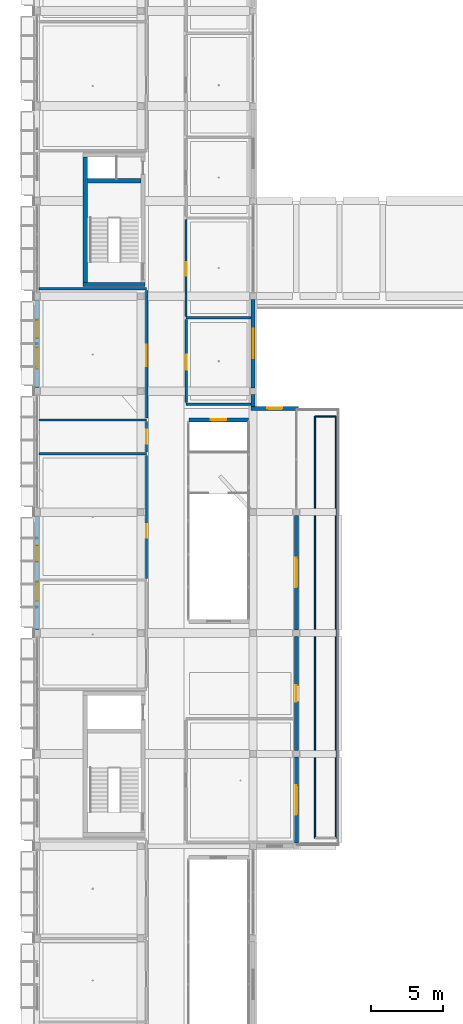
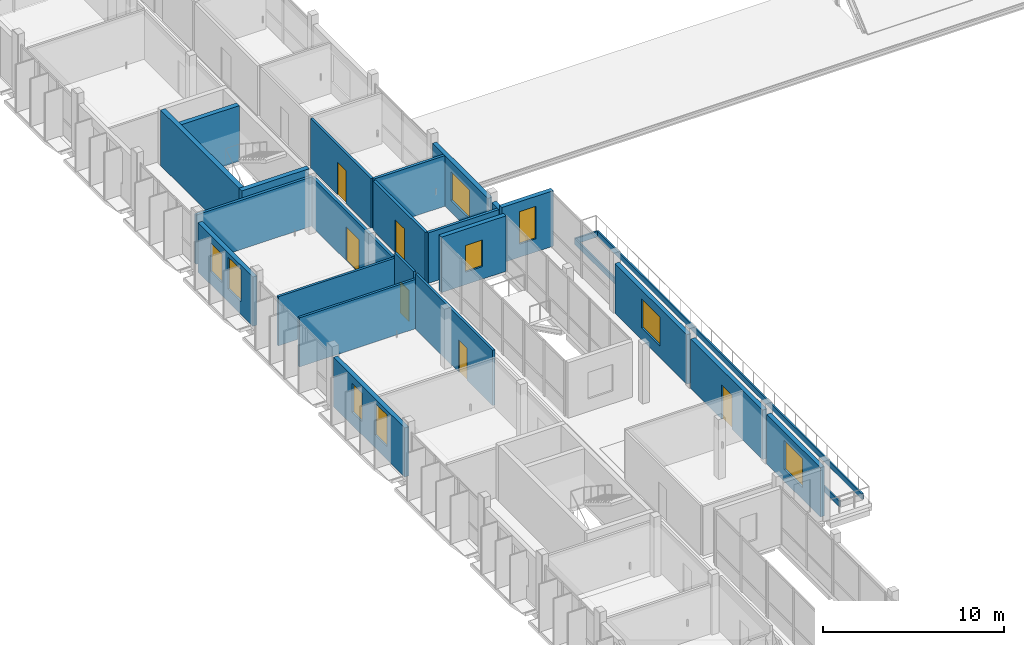
# One storey, part 57 of 86: 25 walls, 9 windows, 6 doors, 15 openings.
"""IFC4 building model written with IfcOpenShell, lengths in metres."""

from ifc_helpers import new_model, si_unit, derived_unit, direction, frame, frame_2d, origin, origin_with_axes, place, context, subcontext, project, spatial, rectangle, extrude, material, layer, layer_set, type_object, element, fill, save


model = new_model("IFC4")

# Units and contexts
model_context = context("Model", 3, precision=1e-05, world=origin(), true_north=direction((0.0, 1.0)))
body_context = subcontext(model_context, "Body", "Model", "MODEL_VIEW")
ifc_project = project(units=[si_unit("LENGTHUNIT", "METRE"), si_unit("AREAUNIT", "SQUARE_METRE"), si_unit("VOLUMEUNIT", "CUBIC_METRE"), si_unit("PLANEANGLEUNIT", "RADIAN"), si_unit("MASSUNIT", "GRAM", prefix="KILO"), derived_unit("THERMALTRANSMITTANCEUNIT", [(si_unit("POWERUNIT", "WATT"), 1), (si_unit("LENGTHUNIT", "METRE"), -2), (si_unit("THERMODYNAMICTEMPERATUREUNIT", "KELVIN"), -1)])], contexts=[model_context])

# Site, building, storey
site_placement = place(None, origin())
site = spatial("IfcSite", under=ifc_project, at=site_placement, CompositionType="ELEMENT")
building_placement = place(site_placement, origin())
building = spatial("IfcBuilding", under=site, at=building_placement, Name="Braskholm Square Health Centre", CompositionType="ELEMENT")
storey_placement = place(building_placement, frame((0.0, 0.0, 13.5)))
storey = spatial("IfcBuildingStorey", under=building, at=storey_placement, Name="L04", CompositionType="ELEMENT", Elevation=13.5)

# Wall, opening, door
ifc_material_1 = material(Name="Fire-rated gypsum board barrier")
ifc_layer_1 = layer(ifc_material_1, 0.175048828125)
ifc_layer_set_1 = layer_set([ifc_layer_1], Name="Fire-rated gypsum board barrier")
wall_type_1 = type_object("IfcWallType", Name="AmbulatoryFirePartition175", PredefinedType="PARTITIONING", material=ifc_layer_set_1)
wall_1_placement = place(storey_placement, frame((11.800048828125, 78.719970703125, 0.0), z_axis=(0.0, 0.0, 1.0), x_axis=(0.0, 1.0, 0.0)))
wall_1 = element("IfcWall", 1, at=wall_1_placement, inside=storey, type_object=wall_type_1, Name="Interior partition PWALL-L04-0176", PredefinedType="PARTITIONING", context=body_context, shape_type="SweptSolid", body=[
    extrude(rectangle(XDim=8.860107421875, YDim=0.175048828125, at=frame_2d((4.43017578125, 0.0))), origin(), (0.0, 0.0, 1.0), 3.344970703125),
])
opening_1_placement = place(wall_1_placement, frame((3.614013671875, 0.0, 0.0)))
opening_1 = element("IfcOpeningElement", 2, at=opening_1_placement, cuts=wall_1, Name="Opening D-27", PredefinedType="OPENING", context=body_context, shape_type="SweptSolid", body=[
    extrude(rectangle(XDim=1.47998046875, YDim=2.280029296875, at=frame_2d((0.739990234375, 1.14013671875))), frame((0.0, 0.09765625, 0.0), z_axis=(0.0, -1.0, 0.0), x_axis=(1.0, 0.0, 0.0)), (0.0, 0.0, 1.0), 0.195068359375),
])
ifc_material_2 = material(Name="Architectural bronze anodised aluminium", Category="aluminium")
door_type_1 = type_object("IfcDoorType", Name="DoorProcedurePair1480x2280", OperationType="DOUBLE_DOOR_SINGLE_SWING", PredefinedType="DOOR", material=ifc_material_2)
door_1_placement = place(opening_1_placement, origin_with_axes())
door_1 = element("IfcDoor", 3, at=door_1_placement, inside=storey, type_object=door_type_1, Name="Interior door 0081 L04", OperationType="DOUBLE_DOOR_SINGLE_SWING", OverallHeight=2.280029296875, OverallWidth=1.47998046875, PredefinedType="DOOR", context=body_context, shape_type="SweptSolid", body=[
    extrude(rectangle(XDim=1.47998046875, YDim=2.280029296875, at=frame_2d((0.739990234375, 1.14013671875))), frame((0.0, 0.02490234375, 0.0), z_axis=(0.0, -1.0, 0.0), x_axis=(1.0, 0.0, 0.0)), (0.0, 0.0, 1.0), 0.050048828125),
])
fill(opening_1, door_1)

# Wall
wall_2_placement = place(storey_placement, frame((4.340087890625, 87.699951171875, 0.0), z_axis=(0.0, 0.0, 1.0), x_axis=(1.0, 0.0, 0.0)))
element("IfcWall", 4, at=wall_2_placement, inside=storey, type_object=wall_type_1, Name="Interior partition PWALL-L04-0177", PredefinedType="PARTITIONING", context=body_context, shape_type="SweptSolid", body=[
    extrude(rectangle(XDim=7.4599609375, YDim=0.175048828125, at=frame_2d((3.72998046875, 0.0))), origin(), (0.0, 0.0, 1.0), 3.324951171875),
])

# Wall, opening, door
wall_3_placement = place(storey_placement, frame((14.550048828125, 79.800048828125, 0.0), z_axis=(0.0, 0.0, 1.0), x_axis=(0.0, 1.0, 0.0)))
wall_3 = element("IfcWall", 5, at=wall_3_placement, inside=storey, type_object=wall_type_1, Name="Interior partition PWALL-L04-0193", PredefinedType="PARTITIONING", context=body_context, shape_type="SweptSolid", body=[
    extrude(rectangle(XDim=5.760009765625, YDim=0.175048828125, at=frame_2d((2.8798828125, 0.0))), origin(), (0.0, 0.0, 1.0), 3.344970703125),
])
opening_2_placement = place(wall_3_placement, frame((2.27294921875, 0.0, 0.0)))
opening_2 = element("IfcOpeningElement", 6, at=opening_2_placement, cuts=wall_3, Name="Opening D-18", PredefinedType="OPENING", context=body_context, shape_type="SweptSolid", body=[
    extrude(rectangle(XDim=1.06005859375, YDim=2.199951171875, at=frame_2d((0.530029296875, 1.10009765625))), frame((0.0, 0.09765625, 0.0), z_axis=(0.0, -1.0, 0.0), x_axis=(1.0, 0.0, 0.0)), (0.0, 0.0, 1.0), 0.195068359375),
])
door_type_2 = type_object("IfcDoorType", Name="DoorFirePartitionSingle1060x2200", OperationType="NOTDEFINED", PredefinedType="DOOR", material=ifc_material_2)
door_2_placement = place(opening_2_placement, frame((1.06005859375, 0.0, 0.0), z_axis=(0.0, 0.0, 1.0), x_axis=(-1.0, 0.0, 0.0)))
door_2 = element("IfcDoor", 7, at=door_2_placement, inside=storey, type_object=door_type_2, Name="Interior door 0089 L04", OperationType="SINGLE_SWING_LEFT", OverallHeight=2.199951171875, OverallWidth=1.06005859375, PredefinedType="DOOR", context=body_context, shape_type="SweptSolid", body=[
    extrude(rectangle(XDim=1.06005859375, YDim=2.199951171875, at=frame_2d((0.530029296875, 1.10009765625))), frame((0.0, 0.02490234375, 0.0), z_axis=(0.0, -1.0, 0.0), x_axis=(1.0, 0.0, 0.0)), (0.0, 0.0, 1.0), 0.050048828125),
])
fill(opening_2, door_2)

# Walls
for number, where, z_axis, x_axis, name in (
    (8, (14.550048828125, 79.679931640625, 0.0), (0.0, 0.0, 1.0), (1.0, 0.0, 0.0), "Interior partition PWALL-L04-0194"),
    (9, (14.550048828125, 85.679931640625, 0.0), (0.0, 0.0, 1.0), (1.0, 0.0, 0.0), "Interior partition PWALL-L04-0195"),
):
    element("IfcWall", number, at=place(storey_placement, frame(where, z_axis=z_axis, x_axis=x_axis)), inside=storey, type_object=wall_type_1, Name=name, PredefinedType="PARTITIONING", context=body_context, shape_type="SweptSolid", body=[
        extrude(rectangle(XDim=4.510009765625, YDim=0.175048828125, at=frame_2d((2.2548828125, 0.0))), origin(), (0.0, 0.0, 1.0), 3.4150390625),
    ])

# Wall, opening, door
ifc_material_3 = material(Name="Acoustic gypsum board partition")
ifc_layer_2 = layer(ifc_material_3, 0.14990234375)
ifc_layer_set_2 = layer_set([ifc_layer_2], Name="Acoustic gypsum board partition")
wall_type_2 = type_object("IfcWallType", Name="CorridorAcousticPartition150", PredefinedType="PARTITIONING", material=ifc_layer_set_2)
wall_4_placement = place(storey_placement, frame((11.800048828125, 67.60009765625, 0.0), z_axis=(0.0, 0.0, 1.0), x_axis=(0.0, 1.0, 0.0)))
wall_4 = element("IfcWall", 10, at=wall_4_placement, inside=storey, type_object=wall_type_2, Name="Interior partition PWALL-L04-0172", PredefinedType="PARTITIONING", context=body_context, shape_type="SweptSolid", body=[
    extrude(rectangle(XDim=8.52978515625, YDim=0.14990234375, at=frame_2d((4.264892578125, 0.0))), origin(), (0.0, 0.0, 1.0), 3.7451171875),
])
opening_3_placement = place(wall_4_placement, frame((2.81689453125, 0.0, 0.0)))
opening_3 = element("IfcOpeningElement", 11, at=opening_3_placement, cuts=wall_4, Name="Opening D-08", PredefinedType="OPENING", context=body_context, shape_type="SweptSolid", body=[
    extrude(rectangle(XDim=0.93994140625, YDim=2.179931640625, at=frame_2d((0.469970703125, 1.08984375))), frame((0.0, 0.0849609375, 0.0), z_axis=(0.0, -1.0, 0.0), x_axis=(1.0, 0.0, 0.0)), (0.0, 0.0, 1.0), 0.169921875),
])
door_type_3 = type_object("IfcDoorType", Name="DoorCounseling940x2180", OperationType="NOTDEFINED", PredefinedType="DOOR", material=ifc_material_2)
door_3_placement = place(opening_3_placement, origin_with_axes())
door_3 = element("IfcDoor", 12, at=door_3_placement, inside=storey, type_object=door_type_3, Name="Interior door 0079 L04", OperationType="SINGLE_SWING_RIGHT", OverallHeight=2.179931640625, OverallWidth=0.93994140625, PredefinedType="DOOR", context=body_context, shape_type="SweptSolid", body=[
    extrude(rectangle(XDim=0.93994140625, YDim=2.179931640625, at=frame_2d((0.469970703125, 1.08984375))), frame((0.0, 0.02490234375, 0.0), z_axis=(0.0, -1.0, 0.0), x_axis=(1.0, 0.0, 0.0)), (0.0, 0.0, 1.0), 0.050048828125),
])
fill(opening_3, door_3)

# Wall
wall_5_placement = place(storey_placement, frame((4.340087890625, 76.25, 0.0), z_axis=(0.0, 0.0, 1.0), x_axis=(1.0, 0.0, 0.0)))
element("IfcWall", 13, at=wall_5_placement, inside=storey, type_object=wall_type_2, Name="Interior partition PWALL-L04-0173", PredefinedType="PARTITIONING", context=body_context, shape_type="SweptSolid", body=[
    extrude(rectangle(XDim=7.4599609375, YDim=0.14990234375, at=frame_2d((3.72998046875, 0.0))), origin(), (0.0, 0.0, 1.0), 3.324951171875),
])

# Wall, opening, door
wall_6_placement = place(storey_placement, frame((11.800048828125, 76.3701171875, 0.0), z_axis=(0.0, 0.0, 1.0), x_axis=(0.0, 1.0, 0.0)))
wall_6 = element("IfcWall", 14, at=wall_6_placement, inside=storey, type_object=wall_type_2, Name="Interior partition PWALL-L04-0174", PredefinedType="PARTITIONING", context=body_context, shape_type="SweptSolid", body=[
    extrude(rectangle(XDim=2.10986328125, YDim=0.14990234375, at=frame_2d((1.054931640625, 0.0))), origin(), (0.0, 0.0, 1.0), 3.7451171875),
])
opening_4_placement = place(wall_6_placement, frame((0.574951171875, 0.0, 0.0)))
opening_4 = element("IfcOpeningElement", 15, at=opening_4_placement, cuts=wall_6, Name="Opening D-05", PredefinedType="OPENING", context=body_context, shape_type="SweptSolid", body=[
    extrude(rectangle(XDim=0.9599609375, YDim=2.10009765625, at=frame_2d((0.47998046875, 1.050048828125))), frame((0.0, 0.0849609375, 0.0), z_axis=(0.0, -1.0, 0.0), x_axis=(1.0, 0.0, 0.0)), (0.0, 0.0, 1.0), 0.169921875),
])
door_type_4 = type_object("IfcDoorType", Name="DoorAccessibleWC960x2100", OperationType="NOTDEFINED", PredefinedType="DOOR", material=ifc_material_2)
door_4_placement = place(opening_4_placement, origin_with_axes())
door_4 = element("IfcDoor", 16, at=door_4_placement, inside=storey, type_object=door_type_4, Name="Interior door 0080 L04", OperationType="SINGLE_SWING_LEFT", OverallHeight=2.10009765625, OverallWidth=0.9599609375, PredefinedType="DOOR", context=body_context, shape_type="SweptSolid", body=[
    extrude(rectangle(XDim=0.9599609375, YDim=2.10009765625, at=frame_2d((0.47998046875, 1.050048828125))), frame((0.0, 0.02490234375, 0.0), z_axis=(0.0, -1.0, 0.0), x_axis=(1.0, 0.0, 0.0)), (0.0, 0.0, 1.0), 0.050048828125),
])
fill(opening_4, door_4)

# Wall
wall_7_placement = place(storey_placement, frame((4.340087890625, 78.60009765625, 0.0), z_axis=(0.0, 0.0, 1.0), x_axis=(1.0, 0.0, 0.0)))
element("IfcWall", 17, at=wall_7_placement, inside=storey, type_object=wall_type_2, Name="Interior partition PWALL-L04-0175", PredefinedType="PARTITIONING", context=body_context, shape_type="SweptSolid", body=[
    extrude(rectangle(XDim=7.4599609375, YDim=0.14990234375, at=frame_2d((3.72998046875, 0.0))), origin(), (0.0, 0.0, 1.0), 3.324951171875),
])

# Wall, opening, door
wall_8_placement = place(storey_placement, frame((14.550048828125, 85.800048828125, 0.0), z_axis=(0.0, 0.0, 1.0), x_axis=(0.0, 1.0, 0.0)))
wall_8 = element("IfcWall", 18, at=wall_8_placement, inside=storey, type_object=wall_type_2, Name="Interior partition PWALL-L04-0196", PredefinedType="PARTITIONING", context=body_context, shape_type="SweptSolid", body=[
    extrude(rectangle(XDim=6.7099609375, YDim=0.14990234375, at=frame_2d((3.35498046875, 0.0))), origin(), (0.0, 0.0, 1.0), 3.344970703125),
])
opening_5_placement = place(wall_8_placement, frame((2.81005859375, 0.0, 0.0)))
opening_5 = element("IfcOpeningElement", 19, at=opening_5_placement, cuts=wall_8, Name="Opening D-08", PredefinedType="OPENING", context=body_context, shape_type="SweptSolid", body=[
    extrude(rectangle(XDim=0.93994140625, YDim=2.179931640625, at=frame_2d((0.469970703125, 1.08984375))), frame((0.0, 0.0849609375, 0.0), z_axis=(0.0, -1.0, 0.0), x_axis=(1.0, 0.0, 0.0)), (0.0, 0.0, 1.0), 0.169921875),
])
door_5_placement = place(opening_5_placement, frame((0.93994140625, 0.0, 0.0), z_axis=(0.0, 0.0, 1.0), x_axis=(-1.0, 0.0, 0.0)))
door_5 = element("IfcDoor", 20, at=door_5_placement, inside=storey, type_object=door_type_3, Name="Interior door 0090 L04", OperationType="SINGLE_SWING_RIGHT", OverallHeight=2.179931640625, OverallWidth=0.93994140625, PredefinedType="DOOR", context=body_context, shape_type="SweptSolid", body=[
    extrude(rectangle(XDim=0.93994140625, YDim=2.179931640625, at=frame_2d((0.469970703125, 1.08984375))), frame((0.0, 0.02490234375, 0.0), z_axis=(0.0, -1.0, 0.0), x_axis=(1.0, 0.0, 0.0)), (0.0, 0.0, 1.0), 0.050048828125),
])
fill(opening_5, door_5)

# Wall, openings, windows
ifc_material_4 = material(Name="Precast concrete C40/50 architectural white", Category="concrete")
ifc_layer_3 = layer(ifc_material_4, 0.280029296875)
ifc_layer_set_3 = layer_set([ifc_layer_3], Name="Precast concrete C40/50 architectural white")
wall_type_3 = type_object("IfcWallType", Name="ExteriorPrecastSpandrelWall280", PredefinedType="SOLIDWALL", material=ifc_layer_set_3)
wall_9_placement = place(storey_placement, frame((4.199951171875, 71.93798828125, 0.0), z_axis=(0.0, 0.0, 1.0), x_axis=(0.0, -1.0, 0.0)))
wall_9 = element("IfcWall", 21, at=wall_9_placement, inside=storey, type_object=wall_type_3, Name="Exterior wall EWALL-L04-0032", PredefinedType="SOLIDWALL", context=body_context, shape_type="SweptSolid", body=[
    extrude(rectangle(XDim=7.8759765625, YDim=0.280029296875, at=frame_2d((3.93798828125, 0.0))), origin(), (0.0, 0.0, 1.0), 3.330078125),
])
opening_6_placement = place(wall_9_placement, frame((2.06494140625, 0.0, 0.8798828125)))
opening_6 = element("IfcOpeningElement", 22, at=opening_6_placement, cuts=wall_9, Name="Opening WN-34", PredefinedType="OPENING", context=body_context, shape_type="SweptSolid", body=[
    extrude(rectangle(XDim=1.1201171875, YDim=1.949951171875, at=frame_2d((0.56005859375, 0.97509765625))), frame((0.0, 0.14990234375, 0.0), z_axis=(0.0, -1.0, 0.0), x_axis=(1.0, 0.0, 0.0)), (0.0, 0.0, 1.0), 0.300048828125),
])
opening_7_placement = place(wall_9_placement, frame((4.591064453125, 0.0, 0.8798828125)))
opening_7 = element("IfcOpeningElement", 23, at=opening_7_placement, cuts=wall_9, Name="Opening WN-39", PredefinedType="OPENING", context=body_context, shape_type="SweptSolid", body=[
    extrude(rectangle(XDim=1.320068359375, YDim=2.14990234375, at=frame_2d((0.66015625, 1.074951171875))), frame((0.0, 0.14990234375, 0.0), z_axis=(0.0, -1.0, 0.0), x_axis=(1.0, 0.0, 0.0)), (0.0, 0.0, 1.0), 0.300048828125),
])
ifc_material_5 = material(Name="Low-E triple insulating glass (VLT 0.64)", Category="glass")
window_type_1 = type_object("IfcWindowType", Name="WinArtDecoMed1120x1950", PartitioningType="SINGLE_PANEL", PredefinedType="WINDOW", material=ifc_material_5)
window_1_placement = place(opening_6_placement, origin_with_axes())
window_1 = element("IfcWindow", 24, at=window_1_placement, inside=storey, type_object=window_type_1, Name="Exterior window 0059 L04", OverallHeight=1.949951171875, OverallWidth=1.1201171875, PartitioningType="SINGLE_PANEL", PredefinedType="WINDOW", context=body_context, shape_type="SweptSolid", body=[
    extrude(rectangle(XDim=1.1201171875, YDim=1.949951171875, at=frame_2d((0.56005859375, 0.97509765625))), frame((0.0, 0.030029296875, 0.0), z_axis=(0.0, -1.0, 0.0), x_axis=(1.0, 0.0, 0.0)), (0.0, 0.0, 1.0), 0.06005859375),
])
fill(opening_6, window_1)
window_type_2 = type_object("IfcWindowType", Name="WinArtDecoTall1320x2150", PartitioningType="SINGLE_PANEL", PredefinedType="WINDOW", material=ifc_material_5)
window_2_placement = place(opening_7_placement, origin_with_axes())
window_2 = element("IfcWindow", 25, at=window_2_placement, inside=storey, type_object=window_type_2, Name="Exterior window 0060 L04", OverallHeight=2.14990234375, OverallWidth=1.320068359375, PartitioningType="SINGLE_PANEL", PredefinedType="WINDOW", context=body_context, shape_type="SweptSolid", body=[
    extrude(rectangle(XDim=1.320068359375, YDim=2.14990234375, at=frame_2d((0.66015625, 1.074951171875))), frame((0.0, 0.030029296875, 0.0), z_axis=(0.0, -1.0, 0.0), x_axis=(1.0, 0.0, 0.0)), (0.0, 0.0, 1.0), 0.06005859375),
])
fill(opening_7, window_2)

wall_10_placement = place(storey_placement, frame((4.199951171875, 86.93798828125, 0.0), z_axis=(0.0, 0.0, 1.0), x_axis=(0.0, -1.0, 0.0)))
wall_10 = element("IfcWall", 26, at=wall_10_placement, inside=storey, type_object=wall_type_3, Name="Exterior wall EWALL-L04-0033", PredefinedType="SOLIDWALL", context=body_context, shape_type="SweptSolid", body=[
    extrude(rectangle(XDim=6.075927734375, YDim=0.280029296875, at=frame_2d((3.0380859375, 0.0))), origin(), (0.0, 0.0, 1.0), 3.330078125),
])
opening_8_placement = place(wall_10_placement, frame((1.385009765625, 0.0, 0.8798828125)))
opening_8 = element("IfcOpeningElement", 27, at=opening_8_placement, cuts=wall_10, Name="Opening WN-35", PredefinedType="OPENING", context=body_context, shape_type="SweptSolid", body=[
    extrude(rectangle(XDim=1.280029296875, YDim=1.949951171875, at=frame_2d((0.64013671875, 0.97509765625))), frame((0.0, 0.14990234375, 0.0), z_axis=(0.0, -1.0, 0.0), x_axis=(1.0, 0.0, 0.0)), (0.0, 0.0, 1.0), 0.300048828125),
])
opening_9_placement = place(wall_10_placement, frame((3.31103515625, 0.0, 0.8798828125)))
opening_9 = element("IfcOpeningElement", 28, at=opening_9_placement, cuts=wall_10, Name="Opening WN-40", PredefinedType="OPENING", context=body_context, shape_type="SweptSolid", body=[
    extrude(rectangle(XDim=1.47998046875, YDim=2.14990234375, at=frame_2d((0.739990234375, 1.074951171875))), frame((0.0, 0.14990234375, 0.0), z_axis=(0.0, -1.0, 0.0), x_axis=(1.0, 0.0, 0.0)), (0.0, 0.0, 1.0), 0.300048828125),
])
window_type_3 = type_object("IfcWindowType", Name="WinArtDecoMed1280x1950", PartitioningType="SINGLE_PANEL", PredefinedType="WINDOW", material=ifc_material_5)
window_3_placement = place(opening_8_placement, origin_with_axes())
window_3 = element("IfcWindow", 29, at=window_3_placement, inside=storey, type_object=window_type_3, Name="Exterior window 0061 L04", OverallHeight=1.949951171875, OverallWidth=1.280029296875, PartitioningType="SINGLE_PANEL", PredefinedType="WINDOW", context=body_context, shape_type="SweptSolid", body=[
    extrude(rectangle(XDim=1.280029296875, YDim=1.949951171875, at=frame_2d((0.64013671875, 0.97509765625))), frame((0.0, 0.030029296875, 0.0), z_axis=(0.0, -1.0, 0.0), x_axis=(1.0, 0.0, 0.0)), (0.0, 0.0, 1.0), 0.06005859375),
])
fill(opening_8, window_3)
window_type_4 = type_object("IfcWindowType", Name="WinArtDecoTall1480x2150", PartitioningType="SINGLE_PANEL", PredefinedType="WINDOW", material=ifc_material_5)
window_4_placement = place(opening_9_placement, origin_with_axes())
window_4 = element("IfcWindow", 30, at=window_4_placement, inside=storey, type_object=window_type_4, Name="Exterior window 0062 L04", OverallHeight=2.14990234375, OverallWidth=1.47998046875, PartitioningType="SINGLE_PANEL", PredefinedType="WINDOW", context=body_context, shape_type="SweptSolid", body=[
    extrude(rectangle(XDim=1.47998046875, YDim=2.14990234375, at=frame_2d((0.739990234375, 1.074951171875))), frame((0.0, 0.030029296875, 0.0), z_axis=(0.0, -1.0, 0.0), x_axis=(1.0, 0.0, 0.0)), (0.0, 0.0, 1.0), 0.06005859375),
])
fill(opening_9, window_4)

# Wall, opening, window
wall_11_placement = place(storey_placement, frame((22.199951171875, 49.22705078125, 0.0), z_axis=(0.0, 0.0, 1.0), x_axis=(0.0, 1.0, 0.0)))
wall_11 = element("IfcWall", 31, at=wall_11_placement, inside=storey, type_object=wall_type_3, Name="Exterior wall EWALL-L04-0133", PredefinedType="SOLIDWALL", context=body_context, shape_type="SweptSolid", body=[
    extrude(rectangle(XDim=5.946044921875, YDim=0.280029296875, at=frame_2d((2.97314453125, 0.0))), origin(), (0.0, 0.0, 1.0), 3.340087890625),
])
opening_10_placement = place(wall_11_placement, frame((1.947998046875, 0.0, 0.800048828125)))
opening_10 = element("IfcOpeningElement", 32, at=opening_10_placement, cuts=wall_11, Name="Opening WN-25", PredefinedType="OPENING", context=body_context, shape_type="SweptSolid", body=[
    extrude(rectangle(XDim=2.050048828125, YDim=1.949951171875, at=frame_2d((1.02490234375, 0.97509765625))), frame((0.0, 0.14990234375, 0.0), z_axis=(0.0, -1.0, 0.0), x_axis=(1.0, 0.0, 0.0)), (0.0, 0.0, 1.0), 0.300048828125),
])
window_type_5 = type_object("IfcWindowType", Name="WinValleyTerrace2050x1950", PartitioningType="SINGLE_PANEL", PredefinedType="WINDOW", material=ifc_material_5)
window_5_placement = place(opening_10_placement, origin_with_axes())
window_5 = element("IfcWindow", 33, at=window_5_placement, inside=storey, type_object=window_type_5, Name="Exterior window 0195 L04", OverallHeight=1.949951171875, OverallWidth=2.050048828125, PartitioningType="SINGLE_PANEL", PredefinedType="WINDOW", context=body_context, shape_type="SweptSolid", body=[
    extrude(rectangle(XDim=2.050048828125, YDim=1.949951171875, at=frame_2d((1.02490234375, 0.97509765625))), frame((0.0, 0.030029296875, 0.0), z_axis=(0.0, -1.0, 0.0), x_axis=(1.0, 0.0, 0.0)), (0.0, 0.0, 1.0), 0.06005859375),
])
fill(opening_10, window_5)

# Wall, opening, door
wall_12_placement = place(storey_placement, frame((22.199951171875, 55.626953125, 0.0), z_axis=(0.0, 0.0, 1.0), x_axis=(0.0, 1.0, 0.0)))
wall_12 = element("IfcWall", 34, at=wall_12_placement, inside=storey, type_object=wall_type_3, Name="Exterior wall EWALL-L04-0134", PredefinedType="SOLIDWALL", context=body_context, shape_type="SweptSolid", body=[
    extrude(rectangle(XDim=7.946044921875, YDim=0.280029296875, at=frame_2d((3.97314453125, 0.0))), origin(), (0.0, 0.0, 1.0), 3.340087890625),
])
opening_11_placement = place(wall_12_placement, frame((3.403076171875, 0.0, 0.0)))
opening_11 = element("IfcOpeningElement", 35, at=opening_11_placement, cuts=wall_12, Name="Opening D-T1", PredefinedType="OPENING", context=body_context, shape_type="SweptSolid", body=[
    extrude(rectangle(XDim=1.139892578125, YDim=2.300048828125, at=frame_2d((0.56982421875, 1.14990234375))), frame((0.0, 0.14990234375, 0.0), z_axis=(0.0, -1.0, 0.0), x_axis=(1.0, 0.0, 0.0)), (0.0, 0.0, 1.0), 0.300048828125),
])
door_type_5 = type_object("IfcDoorType", Name="DoorPlantedTerrace1140x2300", OperationType="NOTDEFINED", PredefinedType="DOOR", material=ifc_material_5)
door_6_placement = place(opening_11_placement, frame((1.139892578125, 0.0, 0.0), z_axis=(0.0, 0.0, 1.0), x_axis=(-1.0, 0.0, 0.0)))
door_6 = element("IfcDoor", 36, at=door_6_placement, inside=storey, type_object=door_type_5, Name="Exterior door 0018 L04", OperationType="SINGLE_SWING_LEFT", OverallHeight=2.300048828125, OverallWidth=1.139892578125, PredefinedType="DOOR", context=body_context, shape_type="SweptSolid", body=[
    extrude(rectangle(XDim=1.139892578125, YDim=2.300048828125, at=frame_2d((0.56982421875, 1.14990234375))), frame((0.0, 0.02490234375, 0.0), z_axis=(0.0, -1.0, 0.0), x_axis=(1.0, 0.0, 0.0)), (0.0, 0.0, 1.0), 0.050048828125),
])
fill(opening_11, door_6)

# Wall, opening, window
wall_13_placement = place(storey_placement, frame((22.199951171875, 64.027099609375, 0.0), z_axis=(0.0, 0.0, 1.0), x_axis=(0.0, 1.0, 0.0)))
wall_13 = element("IfcWall", 37, at=wall_13_placement, inside=storey, type_object=wall_type_3, Name="Exterior wall EWALL-L04-0135", PredefinedType="SOLIDWALL", context=body_context, shape_type="SweptSolid", body=[
    extrude(rectangle(XDim=7.94580078125, YDim=0.280029296875, at=frame_2d((3.972900390625, 0.0))), origin(), (0.0, 0.0, 1.0), 3.340087890625),
])
opening_12_placement = place(wall_13_placement, frame((2.947998046875, 0.0, 0.800048828125)))
opening_12 = element("IfcOpeningElement", 38, at=opening_12_placement, cuts=wall_13, Name="Opening WN-25", PredefinedType="OPENING", context=body_context, shape_type="SweptSolid", body=[
    extrude(rectangle(XDim=2.050048828125, YDim=1.949951171875, at=frame_2d((1.02490234375, 0.97509765625))), frame((0.0, 0.14990234375, 0.0), z_axis=(0.0, -1.0, 0.0), x_axis=(1.0, 0.0, 0.0)), (0.0, 0.0, 1.0), 0.300048828125),
])
window_6_placement = place(opening_12_placement, origin_with_axes())
window_6 = element("IfcWindow", 39, at=window_6_placement, inside=storey, type_object=window_type_5, Name="Exterior window 0196 L04", OverallHeight=1.949951171875, OverallWidth=2.050048828125, PartitioningType="SINGLE_PANEL", PredefinedType="WINDOW", context=body_context, shape_type="SweptSolid", body=[
    extrude(rectangle(XDim=2.050048828125, YDim=1.949951171875, at=frame_2d((1.02490234375, 0.97509765625))), frame((0.0, 0.030029296875, 0.0), z_axis=(0.0, -1.0, 0.0), x_axis=(1.0, 0.0, 0.0)), (0.0, 0.0, 1.0), 0.06005859375),
])
fill(opening_12, window_6)

# Wall
wall_14_placement = place(storey_placement, frame((19.199951171875, 79.5419921875, 0.0), z_axis=(0.0, 0.0, 1.0), x_axis=(0.0, 1.0, 0.0)))
element("IfcWall", 40, at=wall_14_placement, inside=storey, type_object=wall_type_3, Name="Exterior wall EWALL-L04-0136", PredefinedType="SOLIDWALL", context=body_context, shape_type="SweptSolid", body=[
    extrude(rectangle(XDim=0.8310546875, YDim=0.280029296875, at=frame_2d((0.41552734375, 0.0))), origin(), (0.0, 0.0, 1.0), 3.419921875),
])

# Wall, opening, window
wall_15_placement = place(storey_placement, frame((19.199951171875, 80.826904296875, 0.0), z_axis=(0.0, 0.0, 1.0), x_axis=(0.0, 1.0, 0.0)))
wall_15 = element("IfcWall", 41, at=wall_15_placement, inside=storey, type_object=wall_type_3, Name="Exterior wall EWALL-L04-0137", PredefinedType="SOLIDWALL", context=body_context, shape_type="SweptSolid", body=[
    extrude(rectangle(XDim=6.14599609375, YDim=0.280029296875, at=frame_2d((3.072998046875, 0.0))), origin(), (0.0, 0.0, 1.0), 3.419921875),
])
opening_13_placement = place(wall_15_placement, frame((2.048095703125, 0.0, 0.800048828125)))
opening_13 = element("IfcOpeningElement", 42, at=opening_13_placement, cuts=wall_15, Name="Opening WN-25", PredefinedType="OPENING", context=body_context, shape_type="SweptSolid", body=[
    extrude(rectangle(XDim=2.050048828125, YDim=1.949951171875, at=frame_2d((1.02490234375, 0.97509765625))), frame((0.0, 0.14990234375, 0.0), z_axis=(0.0, -1.0, 0.0), x_axis=(1.0, 0.0, 0.0)), (0.0, 0.0, 1.0), 0.300048828125),
])
window_7_placement = place(opening_13_placement, origin_with_axes())
window_7 = element("IfcWindow", 43, at=window_7_placement, inside=storey, type_object=window_type_5, Name="Exterior window 0197 L04", OverallHeight=1.949951171875, OverallWidth=2.050048828125, PartitioningType="SINGLE_PANEL", PredefinedType="WINDOW", context=body_context, shape_type="SweptSolid", body=[
    extrude(rectangle(XDim=2.050048828125, YDim=1.949951171875, at=frame_2d((1.02490234375, 0.97509765625))), frame((0.0, 0.030029296875, 0.0), z_axis=(0.0, -1.0, 0.0), x_axis=(1.0, 0.0, 0.0)), (0.0, 0.0, 1.0), 0.06005859375),
])
fill(opening_13, window_7)

wall_16_placement = place(storey_placement, frame((22.340087890625, 79.39990234375, 0.0), z_axis=(0.0, 0.0, 1.0), x_axis=(-1.0, 0.0, 0.0)))
wall_16 = element("IfcWall", 44, at=wall_16_placement, inside=storey, type_object=wall_type_3, Name="Exterior wall EWALL-L04-0223", PredefinedType="SOLIDWALL", context=body_context, shape_type="SweptSolid", body=[
    extrude(rectangle(XDim=3.280029296875, YDim=0.280029296875, at=frame_2d((1.64013671875, 0.0))), origin(), (0.0, 0.0, 1.0), 3.75),
])
opening_14_placement = place(wall_16_placement, frame((1.114990234375, 0.0, 0.8798828125)))
opening_14 = element("IfcOpeningElement", 45, at=opening_14_placement, cuts=wall_16, Name="Opening WN-02", PredefinedType="OPENING", context=body_context, shape_type="SweptSolid", body=[
    extrude(rectangle(XDim=1.050048828125, YDim=2.199951171875, at=frame_2d((0.52490234375, 1.10009765625))), frame((0.0, 0.14990234375, 0.0), z_axis=(0.0, -1.0, 0.0), x_axis=(1.0, 0.0, 0.0)), (0.0, 0.0, 1.0), 0.300048828125),
])
window_type_6 = type_object("IfcWindowType", Name="WinArtDecoLancet1050x2200", PartitioningType="SINGLE_PANEL", PredefinedType="WINDOW", material=ifc_material_5)
window_8_placement = place(opening_14_placement, origin_with_axes())
window_8 = element("IfcWindow", 46, at=window_8_placement, inside=storey, type_object=window_type_6, Name="Exterior window 0278 L04", OverallHeight=2.199951171875, OverallWidth=1.050048828125, PartitioningType="SINGLE_PANEL", PredefinedType="WINDOW", context=body_context, shape_type="SweptSolid", body=[
    extrude(rectangle(XDim=1.050048828125, YDim=2.199951171875, at=frame_2d((0.52490234375, 1.10009765625))), frame((0.0, 0.030029296875, 0.0), z_axis=(0.0, -1.0, 0.0), x_axis=(1.0, 0.0, 0.0)), (0.0, 0.0, 1.0), 0.06005859375),
])
fill(opening_14, window_8)

wall_17_placement = place(storey_placement, frame((14.73388671875, 78.60009765625, 0.0), z_axis=(0.0, 0.0, 1.0), x_axis=(1.0, 0.0, 0.0)))
wall_17 = element("IfcWall", 47, at=wall_17_placement, inside=storey, type_object=wall_type_3, Name="Exterior wall EWALL-L04-0302", PredefinedType="SOLIDWALL", context=body_context, shape_type="SweptSolid", body=[
    extrude(rectangle(XDim=4.132080078125, YDim=0.280029296875, at=frame_2d((2.06591796875, 0.0))), origin(), (0.0, 0.0, 1.0), 3.75),
])
opening_15_placement = place(wall_17_placement, frame((1.51611328125, 0.0, 0.85009765625)))
opening_15 = element("IfcOpeningElement", 48, at=opening_15_placement, cuts=wall_17, Name="Opening WN-26", PredefinedType="OPENING", context=body_context, shape_type="SweptSolid", body=[
    extrude(rectangle(XDim=1.10009765625, YDim=1.800048828125, at=frame_2d((0.550048828125, 0.89990234375))), frame((0.0, 0.14990234375, 0.0), z_axis=(0.0, -1.0, 0.0), x_axis=(1.0, 0.0, 0.0)), (0.0, 0.0, 1.0), 0.300048828125),
])
window_type_7 = type_object("IfcWindowType", Name="WinLightCourt1100x1800", PartitioningType="SINGLE_PANEL", PredefinedType="WINDOW", material=ifc_material_5)
window_9_placement = place(opening_15_placement, origin_with_axes())
window_9 = element("IfcWindow", 49, at=window_9_placement, inside=storey, type_object=window_type_7, Name="Exterior window 0348 L04", OverallHeight=1.800048828125, OverallWidth=1.10009765625, PartitioningType="SINGLE_PANEL", PredefinedType="WINDOW", context=body_context, shape_type="SweptSolid", body=[
    extrude(rectangle(XDim=1.10009765625, YDim=1.800048828125, at=frame_2d((0.550048828125, 0.89990234375))), frame((0.0, 0.030029296875, 0.0), z_axis=(0.0, -1.0, 0.0), x_axis=(1.0, 0.0, 0.0)), (0.0, 0.0, 1.0), 0.06005859375),
])
fill(opening_15, window_9)

# Walls
ifc_material_6 = material(Name="Concrete C40/50 (f'c = 40 MPa)", Category="concrete")
ifc_layer_4 = layer(ifc_material_6, 0.300048828125)
ifc_layer_set_4 = layer_set([ifc_layer_4], Name="Concrete C40/50 (f'c = 40 MPa)")
wall_type_4 = type_object("IfcWallType", Name="ShearCoreWall300", PredefinedType="SHEAR", material=ifc_layer_set_4)
wall_18_placement = place(storey_placement, frame((7.39990234375, 88.0, 0.0), z_axis=(0.0, 0.0, 1.0), x_axis=(1.0, 0.0, 0.0)))
element("IfcWall", 50, at=wall_18_placement, inside=storey, type_object=wall_type_4, Name="CWALL-K3-L04 south wall", PredefinedType="SHEAR", context=body_context, shape_type="SweptSolid", body=[
    extrude(rectangle(XDim=4.300048828125, YDim=0.300048828125, at=frame_2d((2.14990234375, 0.0))), origin(), (0.0, 0.0, 1.0), 3.75),
])
wall_19_placement = place(storey_placement, frame((7.550048828125, 96.85009765625, 0.0), z_axis=(0.0, 0.0, 1.0), x_axis=(0.0, -1.0, 0.0)))
element("IfcWall", 51, at=wall_19_placement, inside=storey, type_object=wall_type_4, Name="CWALL-K3-L04 west wall", PredefinedType="SHEAR", context=body_context, shape_type="SweptSolid", body=[
    extrude(rectangle(XDim=8.7001953125, YDim=0.300048828125, at=frame_2d((4.35009765625, 0.0))), origin(), (0.0, 0.0, 1.0), 3.75),
])
wall_20_placement = place(storey_placement, frame((7.699951171875, 95.199951171875, 0.0), z_axis=(0.0, 0.0, 1.0), x_axis=(1.0, 0.0, 0.0)))
element("IfcWall", 52, at=wall_20_placement, inside=storey, type_object=wall_type_4, Name="Core K3 internal shear divider L04", PredefinedType="SHEAR", context=body_context, shape_type="SweptSolid", body=[
    extrude(rectangle(XDim=3.699951171875, YDim=0.300048828125, at=frame_2d((1.85009765625, 0.0))), origin(), (0.0, 0.0, 1.0), 3.75),
])
ifc_layer_5 = layer(ifc_material_4, 0.10009765625)
ifc_layer_set_5 = layer_set([ifc_layer_5], Name="Precast concrete C40/50 architectural white")
wall_type_5 = type_object("IfcWallType", Name="SteppedPrecastParapet100", PredefinedType="PARAPET", material=ifc_layer_set_5)
wall_21_placement = place(storey_placement, frame((24.949951171875, 49.550048828125, 0.0), z_axis=(0.0, 0.0, 1.0), x_axis=(0.0, 1.0, 0.0)))
element("IfcWall", 53, at=wall_21_placement, inside=storey, type_object=wall_type_5, Name="Stepped precast planter parapet 018", PredefinedType="PARAPET", context=body_context, shape_type="SweptSolid", body=[
    extrude(rectangle(XDim=29.300048828125, YDim=0.10009765625, at=frame_2d((14.64990234375, 0.0))), origin(), (0.0, 0.0, 1.0), 0.3798828125),
])
wall_22_placement = place(storey_placement, frame((24.949951171875, 78.85009765625, 0.0), z_axis=(0.0, 0.0, 1.0), x_axis=(-1.0, 0.0, 0.0)))
element("IfcWall", 54, at=wall_22_placement, inside=storey, type_object=wall_type_5, Name="Stepped precast planter parapet 019", PredefinedType="PARAPET", context=body_context, shape_type="SweptSolid", body=[
    extrude(rectangle(XDim=1.449951171875, YDim=0.10009765625, at=frame_2d((0.72509765625, 0.0))), origin(), (0.0, 0.0, 1.0), 0.3798828125),
])
wall_23_placement = place(storey_placement, frame((23.5, 78.85009765625, 0.0), z_axis=(0.0, 0.0, 1.0), x_axis=(0.0, -1.0, 0.0)))
element("IfcWall", 55, at=wall_23_placement, inside=storey, type_object=wall_type_5, Name="Stepped precast planter parapet 020", PredefinedType="PARAPET", context=body_context, shape_type="SweptSolid", body=[
    extrude(rectangle(XDim=29.300048828125, YDim=0.10009765625, at=frame_2d((14.64990234375, 0.0))), origin(), (0.0, 0.0, 1.0), 0.3798828125),
])

save(model, "model.ifc")
